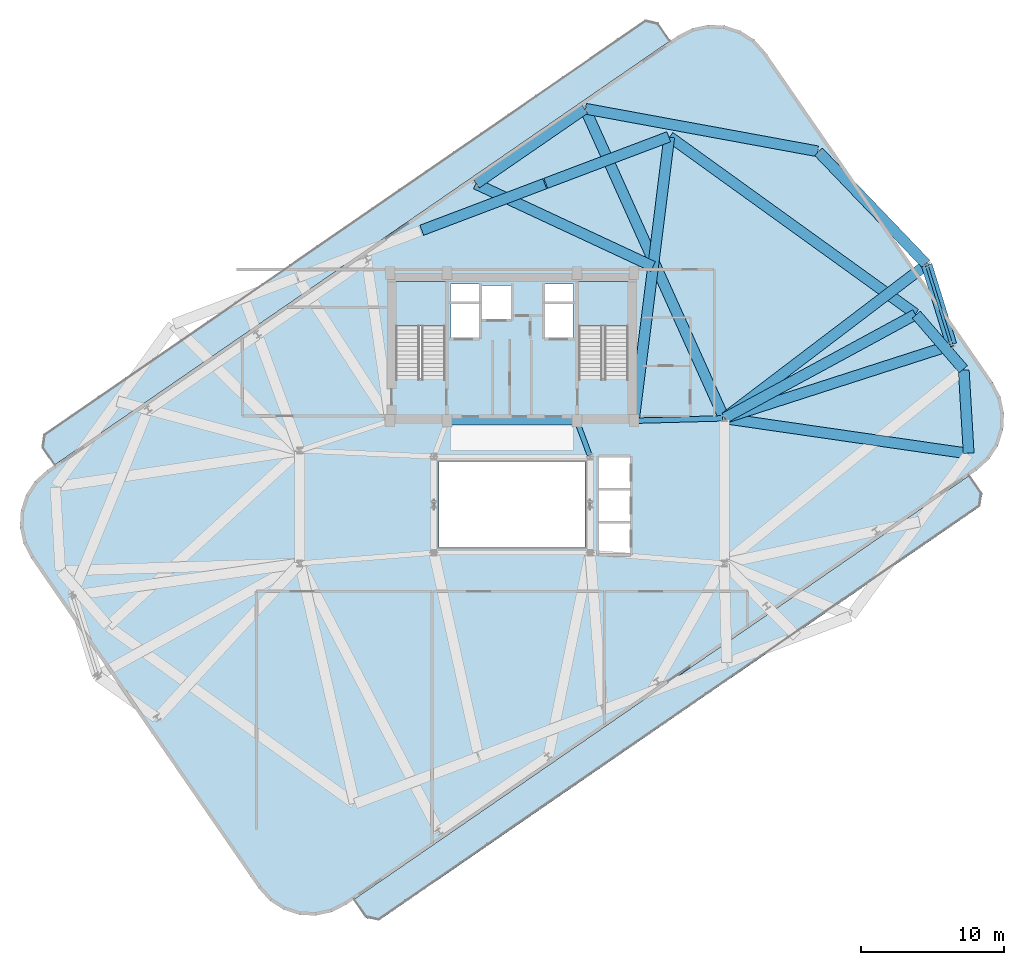
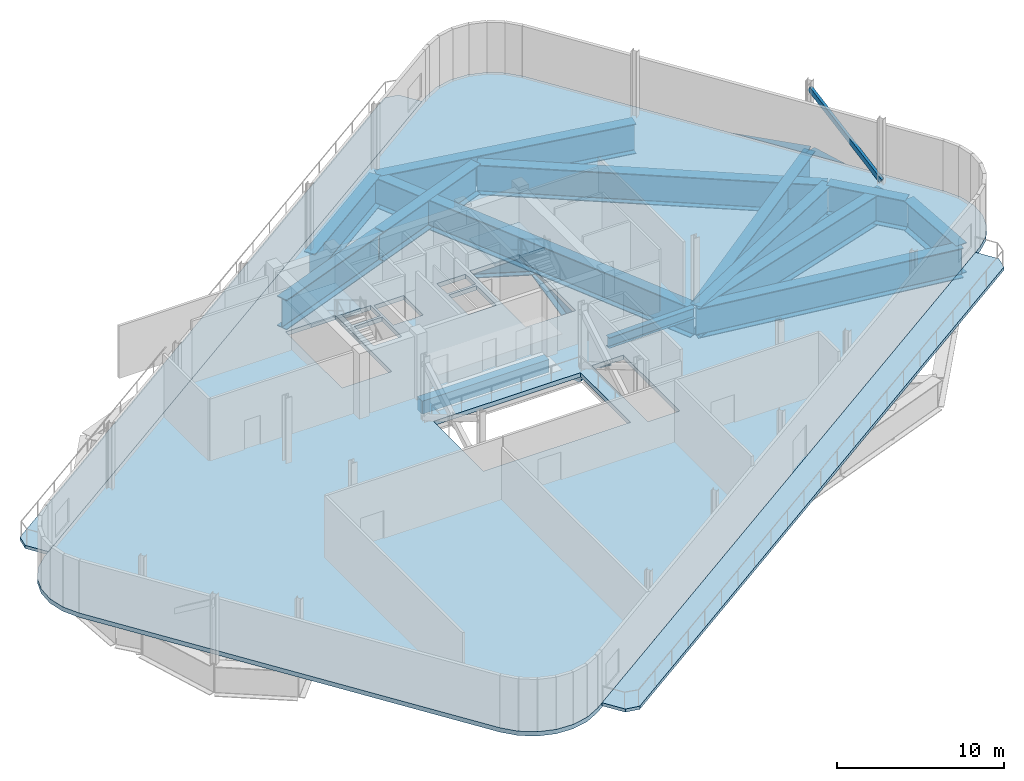
# One storey, part 4 of 13: 19 beams, 5 slabs, 1 member, 2 elements without a shape of their own.
"""IFC4 building model written with IfcOpenShell, lengths in metres."""

from ifc_helpers import new_model, si_unit, direction, frame, origin, origin_2d, place, context, subcontext, project, spatial, polyline, rectangle, hollow_rectangle, i_section, outline, extrude, material, layer, layer_set, material_profile, profile_set, type_object, element, aggregate, save


model = new_model("IFC4")

# Units and contexts
model_context = context("Model", 3, precision=1e-05, world=origin(), true_north=direction((0.0, 1.0)))
body_context = subcontext(model_context, "Body", "Model", "MODEL_VIEW")
ifc_project = project(units=[si_unit("LENGTHUNIT", "METRE"), si_unit("AREAUNIT", "SQUARE_METRE"), si_unit("VOLUMEUNIT", "CUBIC_METRE"), si_unit("PLANEANGLEUNIT", "RADIAN"), si_unit("MASSUNIT", "GRAM", prefix="KILO")], contexts=[model_context])

# Site, building, storey
site_placement = place(None, origin())
site = spatial("IfcSite", under=ifc_project, at=site_placement, CompositionType="ELEMENT")
building_placement = place(site_placement, origin())
building = spatial("IfcBuilding", under=site, at=building_placement, Name="Varnelok Gate Tower", CompositionType="ELEMENT")
storey_placement = place(building_placement, frame((0.0, 0.0, 253.39990234375)))
storey = spatial("IfcBuildingStorey", under=building, at=storey_placement, Name="L65", CompositionType="ELEMENT", Elevation=253.39990234375)

# Beams
ifc_material_1 = material(Name="Concrete C60/75", Category="concrete")
ifc_material_profile_1 = material_profile(ifc_material_1, rectangle(XDim=0.60009765625, YDim=0.949951171875, at=origin_2d()), Name="RC950X600")
ifc_profile_set_1 = profile_set([ifc_material_profile_1], Name="Concrete C60/75")
beam_type_1 = type_object("IfcBeamType", Name="BM-LNT-RC950", PredefinedType="LINTEL", material=ifc_profile_set_1)
beam_1_placement = place(storey_placement, frame((34.800048828125, 28.75, -0.794921875), z_axis=(1.0, 0.0, 0.0), x_axis=(0.0, 1.0, 0.0)))
element("IfcBeam", 1, at=beam_1_placement, inside=storey, type_object=beam_type_1, Name="L65 Core-Atrium Spine Beam 7", PredefinedType="LINTEL", context=body_context, shape_type="SweptSolid", body=[
    extrude(rectangle(XDim=0.60009765625, YDim=0.949951171875, at=origin_2d()), origin(), (0.0, 0.0, 1.0), 8.800048828125),
])
ifc_material_2 = material(Name="Structural Steel ASTM A992 Grade 50", Category="steel")
ifc_material_profile_2 = material_profile(ifc_material_2, i_section(OverallWidth=0.35498046875, OverallDepth=0.696044921875, WebThickness=0.015380859375, FlangeThickness=0.02490234375, FilletRadius=0.02001953125, at=origin_2d()), Name="W27X146")
ifc_profile_set_2 = profile_set([ifc_material_profile_2], Name="Structural Steel ASTM A992 Grade 50")
beam_type_2 = type_object("IfcBeamType", Name="BM-PRI-W27X146", PredefinedType="BEAM", material=ifc_profile_set_2)
beam_2_placement = place(storey_placement, frame((44.608154296875, 26.362548828125, -0.66796875), z_axis=(-0.348719329408, 0.937227202602, 0.0), x_axis=(-0.937227202602, -0.348719329408, 0.0)))
element("IfcBeam", 2, at=beam_2_placement, inside=storey, type_object=beam_type_2, Name="L65 Core-Atrium Spine Beam 13", PredefinedType="BEAM", context=body_context, shape_type="SweptSolid", body=[
    extrude(i_section(OverallWidth=0.35498046875, OverallDepth=0.696044921875, WebThickness=0.015380859375, FlangeThickness=0.02490234375, FilletRadius=0.02001953125, at=origin_2d()), origin(), (0.0, 0.0, 1.0), 2.42724609375),
])
ifc_material_profile_3 = material_profile(ifc_material_2, i_section(OverallWidth=0.381103515625, OverallDepth=0.77294921875, WebThickness=0.0166015625, FlangeThickness=0.027099609375, FilletRadius=0.02197265625, at=origin_2d()), Name="W30X173")
ifc_profile_set_3 = profile_set([ifc_material_profile_3], Name="Structural Steel ASTM A992 Grade 50")
beam_type_3 = type_object("IfcBeamType", Name="BM-PRI-W30X173", PredefinedType="BEAM", material=ifc_profile_set_3)
beam_3_placement = place(storey_placement, frame((47.820068359375, 28.753173828125, -0.706298828125), z_axis=(0.999635880609, 0.026983443053, 0.0), x_axis=(-0.026983443053, 0.999635880609, 0.0)))
element("IfcBeam", 3, at=beam_3_placement, inside=storey, type_object=beam_type_3, Name="L65 Core-Atrium Spine Beam 19", PredefinedType="BEAM", context=body_context, shape_type="SweptSolid", body=[
    extrude(i_section(OverallWidth=0.381103515625, OverallDepth=0.77294921875, WebThickness=0.0166015625, FlangeThickness=0.027099609375, FilletRadius=0.02197265625, at=origin_2d()), origin(), (0.0, 0.0, 1.0), 6.06201171875),
])
ifc_material_3 = material(Name="Structural Steel ASTM A572 Grade 50", Category="steel")
ifc_material_profile_4 = material_profile(ifc_material_3, i_section(OverallWidth=0.75, OverallDepth=2.199951171875, WebThickness=0.031982421875, FlangeThickness=0.06005859375, FilletRadius=0.028076171875, at=origin_2d()), Name="PG2200X750")
ifc_profile_set_4 = profile_set([ifc_material_profile_4], Name="Structural Steel ASTM A572 Grade 50")
beam_type_4 = type_object("IfcBeamType", Name="BM-TR-PG2200", PredefinedType="BEAM", material=ifc_profile_set_4)
beam_4_placement = place(storey_placement, frame((71.052734375, 26.493408203125, -1.419921875), z_axis=(-0.059470101815, 0.998230087199, 0.0), x_axis=(-0.998230087199, -0.059470101815, 0.0)))
element("IfcBeam", 4, at=beam_4_placement, inside=storey, type_object=beam_type_4, Name="L65 Transfer Support Ring Girder 6", PredefinedType="BEAM", context=body_context, shape_type="SweptSolid", body=[
    extrude(i_section(OverallWidth=0.75, OverallDepth=2.199951171875, WebThickness=0.031982421875, FlangeThickness=0.06005859375, FilletRadius=0.028076171875, at=origin_2d()), origin(), (0.0, 0.0, 1.0), 5.796630859375),
])
beam_5_placement = place(storey_placement, frame((70.679443359375, 32.349853515625, -1.419921875), z_axis=(-0.65351476539, 0.756913767491, 0.0), x_axis=(-0.756913767491, -0.65351476539, 0.0)))
element("IfcBeam", 5, at=beam_5_placement, inside=storey, type_object=beam_type_4, Name="L65 Transfer Support Ring Girder 7", PredefinedType="BEAM", context=body_context, shape_type="SweptSolid", body=[
    extrude(i_section(OverallWidth=0.75, OverallDepth=2.199951171875, WebThickness=0.031982421875, FlangeThickness=0.06005859375, FilletRadius=0.028076171875, at=origin_2d()), origin(), (0.0, 0.0, 1.0), 5.019775390625),
])
beam_6_placement = place(storey_placement, frame((67.34033203125, 36.203125, -1.419921875), z_axis=(-0.811376670589, 0.584523650867, 0.0), x_axis=(-0.584523650867, -0.811376670589, 0.0)))
element("IfcBeam", 6, at=beam_6_placement, inside=storey, type_object=beam_type_4, Name="L65 Transfer Support Ring Girder 8", PredefinedType="BEAM", context=body_context, shape_type="SweptSolid", body=[
    extrude(i_section(OverallWidth=0.75, OverallDepth=2.199951171875, WebThickness=0.031982421875, FlangeThickness=0.06005859375, FilletRadius=0.028076171875, at=origin_2d()), origin(), (0.0, 0.0, 1.0), 21.12060546875),
])
beam_7_placement = place(storey_placement, frame((50.133544921875, 48.5576171875, -1.419921875), z_axis=(-0.935227177902, -0.354048196878, 0.0), x_axis=(0.354048196878, -0.935227177902, 0.0)))
element("IfcBeam", 7, at=beam_7_placement, inside=storey, type_object=beam_type_4, Name="L65 Transfer Support Ring Girder 9", PredefinedType="BEAM", context=body_context, shape_type="SweptSolid", body=[
    extrude(i_section(OverallWidth=0.75, OverallDepth=2.199951171875, WebThickness=0.031982421875, FlangeThickness=0.06005859375, FilletRadius=0.028076171875, at=origin_2d()), origin(), (0.0, 0.0, 1.0), 9.169921875),
])
beam_8_placement = place(storey_placement, frame((41.48291015625, 45.28271484375, -1.419921875), z_axis=(-0.935221699646, -0.35406266749, 0.0), x_axis=(0.35406266749, -0.935221699646, 0.0)))
element("IfcBeam", 8, at=beam_8_placement, inside=storey, type_object=beam_type_4, Name="L65 Transfer Support Ring Girder 10", PredefinedType="BEAM", context=body_context, shape_type="SweptSolid", body=[
    extrude(i_section(OverallWidth=0.75, OverallDepth=2.199951171875, WebThickness=0.031982421875, FlangeThickness=0.06005859375, FilletRadius=0.028076171875, at=origin_2d()), origin(), (0.0, 0.0, 1.0), 9.170166015625),
])
beam_9_placement = place(storey_placement, frame((54.03955078125, 28.914306640625, -1.419921875), z_axis=(0.989701464471, -0.143146817025, 0.0), x_axis=(0.143146817025, 0.989701464471, 0.0)))
element("IfcBeam", 9, at=beam_9_placement, inside=storey, type_object=beam_type_4, Name="L65 Radial Transfer Main Girder 6", PredefinedType="BEAM", context=body_context, shape_type="SweptSolid", body=[
    extrude(i_section(OverallWidth=0.75, OverallDepth=2.199951171875, WebThickness=0.031982421875, FlangeThickness=0.06005859375, FilletRadius=0.028076171875, at=origin_2d()), origin(), (0.0, 0.0, 1.0), 17.152587890625),
])
beam_10_placement = place(storey_placement, frame((54.03515625, 28.939208984375, -1.419921875), z_axis=(0.878851112905, 0.477096134282, 0.0), x_axis=(-0.477096134282, 0.878851112905, 0.0)))
element("IfcBeam", 10, at=beam_10_placement, inside=storey, type_object=beam_type_4, Name="L65 Radial Transfer Main Girder 8", PredefinedType="BEAM", context=body_context, shape_type="SweptSolid", body=[
    extrude(i_section(OverallWidth=0.75, OverallDepth=2.199951171875, WebThickness=0.031982421875, FlangeThickness=0.06005859375, FilletRadius=0.028076171875, at=origin_2d()), origin(), (0.0, 0.0, 1.0), 15.13623046875),
])
beam_11_placement = place(storey_placement, frame((47.704833984375, 28.789794921875, -1.419921875), z_axis=(0.123706989681, 0.992318789857, 0.0), x_axis=(-0.992318789857, 0.123706989681, 0.0)))
element("IfcBeam", 11, at=beam_11_placement, inside=storey, type_object=beam_type_4, Name="L65 Radial Transfer Main Girder 9", PredefinedType="BEAM", context=body_context, shape_type="SweptSolid", body=[
    extrude(i_section(OverallWidth=0.75, OverallDepth=2.199951171875, WebThickness=0.031982421875, FlangeThickness=0.06005859375, FilletRadius=0.028076171875, at=origin_2d()), origin(), (0.0, 0.0, 1.0), 19.895263671875),
])
beam_12_placement = place(storey_placement, frame((54.09521484375, 28.95068359375, -1.419921875), z_axis=(0.951770986908, 0.306809368307, 0.0), x_axis=(-0.306809368307, 0.951770986908, 0.0)))
element("IfcBeam", 12, at=beam_12_placement, inside=storey, type_object=beam_type_4, Name="L65 Column Transfer Carrier Girder 6", PredefinedType="BEAM", context=body_context, shape_type="SweptSolid", body=[
    extrude(i_section(OverallWidth=0.75, OverallDepth=2.199951171875, WebThickness=0.031982421875, FlangeThickness=0.06005859375, FilletRadius=0.028076171875, at=origin_2d()), origin(), (0.0, 0.0, 1.0), 16.56005859375),
])
beam_13_placement = place(storey_placement, frame((54.07958984375, 28.98046875, -1.419921875), z_axis=(0.796256662956, 0.604958946292, 0.0), x_axis=(-0.604958946292, 0.796256662956, 0.0)))
element("IfcBeam", 13, at=beam_13_placement, inside=storey, type_object=beam_type_4, Name="L65 Column Transfer Carrier Girder 7", PredefinedType="BEAM", context=body_context, shape_type="SweptSolid", body=[
    extrude(i_section(OverallWidth=0.75, OverallDepth=2.199951171875, WebThickness=0.031982421875, FlangeThickness=0.06005859375, FilletRadius=0.028076171875, at=origin_2d()), origin(), (0.0, 0.0, 1.0), 17.62744140625),
])
beam_14_placement = place(storey_placement, frame((53.958984375, 29.01123046875, -1.419921875), z_axis=(-0.409937146077, 0.912113773751, 0.0), x_axis=(-0.912113773751, -0.409937146077, 0.0)))
element("IfcBeam", 14, at=beam_14_placement, inside=storey, type_object=beam_type_4, Name="L65 Column Transfer Carrier Girder 9", PredefinedType="BEAM", context=body_context, shape_type="SweptSolid", body=[
    extrude(i_section(OverallWidth=0.75, OverallDepth=2.199951171875, WebThickness=0.031982421875, FlangeThickness=0.06005859375, FilletRadius=0.028076171875, at=origin_2d()), origin(), (0.0, 0.0, 1.0), 23.58056640625),
])
beam_15_placement = place(storey_placement, frame((49.040771484375, 39.505615234375, -1.419921875), z_axis=(-0.906307438833, 0.422619008466, 0.0), x_axis=(-0.422619008466, -0.906307438833, 0.0)))
element("IfcBeam", 15, at=beam_15_placement, inside=storey, type_object=beam_type_4, Name="L65 Column Transfer Carrier Girder 10", PredefinedType="BEAM", context=body_context, shape_type="SweptSolid", body=[
    extrude(i_section(OverallWidth=0.75, OverallDepth=2.199951171875, WebThickness=0.031982421875, FlangeThickness=0.06005859375, FilletRadius=0.028076171875, at=origin_2d()), origin(), (0.0, 0.0, 1.0), 13.644287109375),
])
beam_16_placement = place(storey_placement, frame((69.844970703125, 34.069580078125, -1.419921875), z_axis=(-0.296295883907, 0.955096198914, 0.0), x_axis=(-0.955096198914, -0.296295883907, 0.0)))
element("IfcBeam", 16, at=beam_16_placement, inside=storey, type_object=beam_type_4, Name="L65 Upper Perimeter Transfer Ring 6", PredefinedType="BEAM", context=body_context, shape_type="SweptSolid", body=[
    extrude(i_section(OverallWidth=0.75, OverallDepth=2.199951171875, WebThickness=0.031982421875, FlangeThickness=0.06005859375, FilletRadius=0.028076171875, at=origin_2d()), origin(), (0.0, 0.0, 1.0), 5.796630859375),
])
beam_17_placement = place(storey_placement, frame((68.087890625, 39.673095703125, -1.419921875), z_axis=(-0.691791004343, 0.722097781682, 0.0), x_axis=(-0.722097781682, -0.691791004343, 0.0)))
element("IfcBeam", 17, at=beam_17_placement, inside=storey, type_object=beam_type_4, Name="L65 Upper Perimeter Transfer Ring 7", PredefinedType="BEAM", context=body_context, shape_type="SweptSolid", body=[
    extrude(i_section(OverallWidth=0.75, OverallDepth=2.199951171875, WebThickness=0.031982421875, FlangeThickness=0.06005859375, FilletRadius=0.028076171875, at=origin_2d()), origin(), (0.0, 0.0, 1.0), 10.85107421875),
])
beam_18_placement = place(storey_placement, frame((60.514404296875, 47.544677734375, -1.419921875), z_axis=(-0.983601468349, 0.180355624982, 0.0), x_axis=(-0.180355624982, -0.983601468349, 0.0)))
element("IfcBeam", 18, at=beam_18_placement, inside=storey, type_object=beam_type_4, Name="L65 Upper Perimeter Transfer Ring 8", PredefinedType="BEAM", context=body_context, shape_type="SweptSolid", body=[
    extrude(i_section(OverallWidth=0.75, OverallDepth=2.199951171875, WebThickness=0.031982421875, FlangeThickness=0.06005859375, FilletRadius=0.028076171875, at=origin_2d()), origin(), (0.0, 0.0, 1.0), 16.452392578125),
])
beam_19_placement = place(storey_placement, frame((44.259765625, 50.49658203125, -1.419921875), z_axis=(-0.823537450738, -0.567261903562, 0.0), x_axis=(0.567261903562, -0.823537450738, 0.0)))
element("IfcBeam", 19, at=beam_19_placement, inside=storey, type_object=beam_type_4, Name="L65 Upper Perimeter Transfer Ring 9", PredefinedType="BEAM", context=body_context, shape_type="SweptSolid", body=[
    extrude(i_section(OverallWidth=0.75, OverallDepth=2.199951171875, WebThickness=0.031982421875, FlangeThickness=0.06005859375, FilletRadius=0.028076171875, at=origin_2d()), origin(), (0.0, 0.0, 1.0), 9.170166015625),
])

# Member
ifc_material_4 = material(Name="Structural Steel ASTM A500 Grade C", Category="steel")
ifc_material_profile_5 = material_profile(ifc_material_4, hollow_rectangle(XDim=0.199951171875, YDim=0.35009765625, WallThickness=0.012451171875, at=origin_2d()), Name="HSS350X200X12")
ifc_profile_set_5 = profile_set([ifc_material_profile_5], Name="Structural Steel ASTM A500 Grade C")
member_type = type_object("IfcMemberType", Name="MEM-BLT-BRACE2", PredefinedType="BRACE", material=ifc_profile_set_5)
member_placement = place(storey_placement, frame((69.856689453125, 34.031494140625, 0.2001953125), z_axis=(-0.244936852316, 0.789553874753, 0.562681630446), x_axis=(-0.955097384053, -0.296292063639, 0.0)))
element("IfcMember", 20, at=member_placement, inside=storey, type_object=member_type, Name="L65 Belt Truss Diagonal Brace 1", PredefinedType="BRACE", context=body_context, shape_type="SweptSolid", body=[
    extrude(hollow_rectangle(XDim=0.199951171875, YDim=0.35009765625, WallThickness=0.012451171875, at=origin_2d()), origin(), (0.0, 0.0, 1.0), 7.10888671875),
])

# Stair, slab
ifc_material_5 = material(Name="Concrete C50/60", Category="concrete")
stair_type = type_object("IfcStairType", Name="STR-CORE-1650", PredefinedType="HALF_TURN_STAIR", material=ifc_material_5)
stair_1_placement = place(storey_placement, origin())
stair_1 = element("IfcStair", 21, at=stair_1_placement, inside=storey, type_object=stair_type, Name="L65 Exit Stair ST-1", PredefinedType="HALF_TURN_STAIR")
ifc_material_6 = material(Name="Concrete C45/55", Category="concrete")
ifc_layer_1 = layer(ifc_material_6, 0.199951171875)
ifc_layer_set_1 = layer_set([ifc_layer_1], Name="Concrete C45/55")
slab_type_1 = type_object("IfcSlabType", Name="SLB-LAND-200", PredefinedType="LANDING", material=ifc_layer_set_1)
slab_1_placement = place(storey_placement, frame((0.0, 0.0, 2.2001953125)))
slab_1 = element("IfcSlab", 22, at=slab_1_placement, type_object=slab_type_1, Name="ST-1 landing 1", PredefinedType="LANDING", context=body_context, shape_type="SweptSolid", body=[
    extrude(outline(polyline([(34.550048828125, 35.3701171875), (34.550048828125, 38.449951171875), (31.10009765625, 38.449951171875), (31.10009765625, 35.3701171875), (34.550048828125, 35.3701171875)])), origin(), (0.0, 0.0, 1.0), 0.199951171875),
])
aggregate(stair_1, [slab_1])

stair_2_placement = place(storey_placement, origin())
stair_2 = element("IfcStair", 23, at=stair_2_placement, inside=storey, type_object=stair_type, Name="L65 Exit Stair ST-2", PredefinedType="HALF_TURN_STAIR")
slab_2_placement = place(storey_placement, frame((0.0, 0.0, 2.2001953125)))
slab_2 = element("IfcSlab", 24, at=slab_2_placement, type_object=slab_type_1, Name="ST-2 landing 1", PredefinedType="LANDING", context=body_context, shape_type="SweptSolid", body=[
    extrude(outline(polyline([(47.300048828125, 35.3701171875), (47.300048828125, 38.449951171875), (43.85009765625, 38.449951171875), (43.85009765625, 35.3701171875), (47.300048828125, 35.3701171875)])), origin(), (0.0, 0.0, 1.0), 0.199951171875),
])
aggregate(stair_2, [slab_2])

# Slabs
ifc_layer_2 = layer(ifc_material_6, 0.22998046875)
ifc_layer_set_2 = layer_set([ifc_layer_2], Name="Concrete C45/55")
slab_type_2 = type_object("IfcSlabType", Name="SLB-SKYG-230", PredefinedType="FLOOR", material=ifc_layer_set_2)
slab_3_placement = place(storey_placement, frame((0.0, 0.0, -0.22998046875)))
element("IfcSlab", 25, at=slab_3_placement, inside=storey, type_object=slab_type_2, Name="L65 South Planted Sky Garden Terrace", PredefinedType="FLOOR", context=body_context, shape_type="SweptSolid", body=[
    extrude(outline(polyline([(29.022705078125, -5.935302734375), (29.9267578125, -6.101806640625), (71.844482421875, 22.772216796875), (72.01123046875, 23.67626953125), (71.1318359375, 24.95263671875), (28.1435546875, -4.65869140625), (29.022705078125, -5.935302734375)])), origin(), (0.0, 0.0, 1.0), 0.22998046875),
])
slab_4_placement = place(storey_placement, frame((0.0, 0.0, -0.22998046875)))
element("IfcSlab", 26, at=slab_4_placement, inside=storey, type_object=slab_type_2, Name="L65 North Planted Sky Garden Terrace", PredefinedType="FLOOR", context=body_context, shape_type="SweptSolid", body=[
    extrude(outline(polyline([(7.26806640625, 25.647216796875), (50.256591796875, 55.2587890625), (49.377197265625, 56.53515625), (48.47314453125, 56.701904296875), (6.555419921875, 27.827880859375), (6.388916015625, 26.923828125), (7.26806640625, 25.647216796875)])), origin(), (0.0, 0.0, 1.0), 0.22998046875),
])
ifc_layer_3 = layer(ifc_material_1, 0.320068359375)
ifc_layer_set_3 = layer_set([ifc_layer_3], Name="Concrete C60/75")
slab_type_3 = type_object("IfcSlabType", Name="SLB-TRN-320", PredefinedType="FLOOR", material=ifc_layer_set_3)
slab_5_placement = place(storey_placement, frame((0.0, 0.0, -0.31982421875)))
element("IfcSlab", 27, at=slab_5_placement, inside=storey, type_object=slab_type_3, Name="L65 Structural Floor Slab", PredefinedType="FLOOR", context=body_context, shape_type="SweptSolid", body=[
    extrude(outline(polyline([(21.52978515625, -3.87158203125), (22.29931640625, -4.724365234375), (23.263427734375, -5.348876953125), (24.356201171875, -5.70263671875), (25.50341796875, -5.76171875), (26.626708984375, -5.521484375), (27.6494140625, -4.9990234375), (71.626220703125, 25.293212890625), (72.47900390625, 26.0625), (73.103515625, 27.026611328125), (73.457275390625, 28.119384765625), (73.51611328125, 29.266357421875), (73.276123046875, 30.3896484375), (72.753662109375, 31.41259765625), (56.8701171875, 54.471435546875), (56.1005859375, 55.32421875), (55.13671875, 55.948974609375), (54.0439453125, 56.302734375), (52.896728515625, 56.361572265625), (51.7734375, 56.12158203125), (50.75048828125, 55.59912109375), (6.77392578125, 25.306884765625), (5.921142578125, 24.53759765625), (5.296630859375, 23.573486328125), (4.942626953125, 22.480712890625), (4.8837890625, 21.33349609375), (5.123779296875, 20.210205078125), (5.646484375, 19.1875), (21.52978515625, -3.87158203125)]), holes=[polyline([(34.550048828125, 31.679931640625), (34.550048828125, 38.449951171875), (31.10009765625, 38.449951171875), (31.10009765625, 31.679931640625), (34.550048828125, 31.679931640625)]), polyline([(47.300048828125, 31.679931640625), (47.300048828125, 38.449951171875), (43.85009765625, 38.449951171875), (43.85009765625, 31.679931640625), (47.300048828125, 31.679931640625)]), polyline([(34.949951171875, 34.550048828125), (36.89990234375, 34.550048828125), (36.89990234375, 36.89990234375), (34.949951171875, 36.89990234375), (34.949951171875, 34.550048828125)]), polyline([(41.5, 34.550048828125), (43.449951171875, 34.550048828125), (43.449951171875, 36.89990234375), (41.5, 36.89990234375), (41.5, 34.550048828125)]), polyline([(37.050048828125, 35.85009765625), (39.14990234375, 35.85009765625), (39.14990234375, 38.199951171875), (37.050048828125, 38.199951171875), (37.050048828125, 35.85009765625)]), polyline([(45.25, 19.449951171875), (47.449951171875, 19.449951171875), (47.449951171875, 26.199951171875), (45.25, 26.199951171875), (45.25, 19.449951171875)]), polyline([(34.919921875, 37.080078125), (36.89990234375, 37.080078125), (36.89990234375, 38.280029296875), (34.919921875, 38.280029296875), (34.919921875, 37.080078125)]), polyline([(41.5, 37.080078125), (43.47998046875, 37.080078125), (43.47998046875, 38.280029296875), (41.5, 38.280029296875), (41.5, 37.080078125)]), polyline([(34.10009765625, 19.89990234375), (44.300048828125, 19.89990234375), (44.300048828125, 25.89990234375), (34.10009765625, 25.89990234375), (34.10009765625, 19.89990234375)])]), origin(), (0.0, 0.0, 1.0), 0.31982421875),
])

save(model, "model.ifc")
